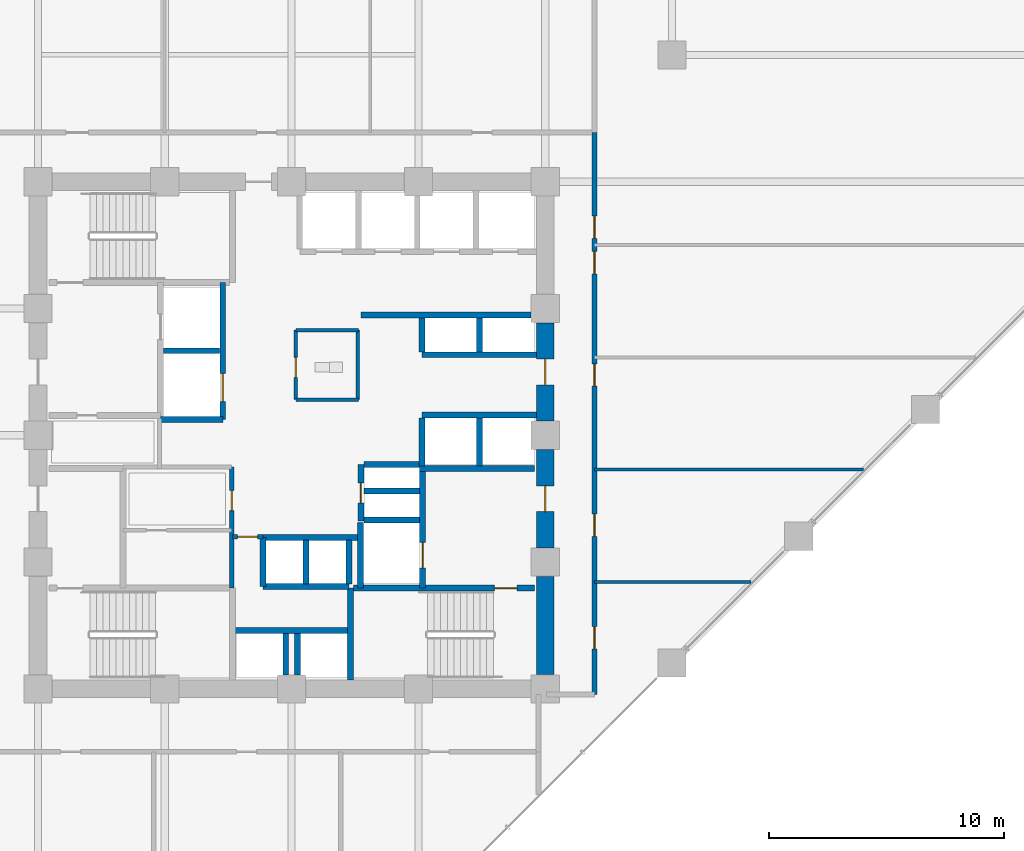
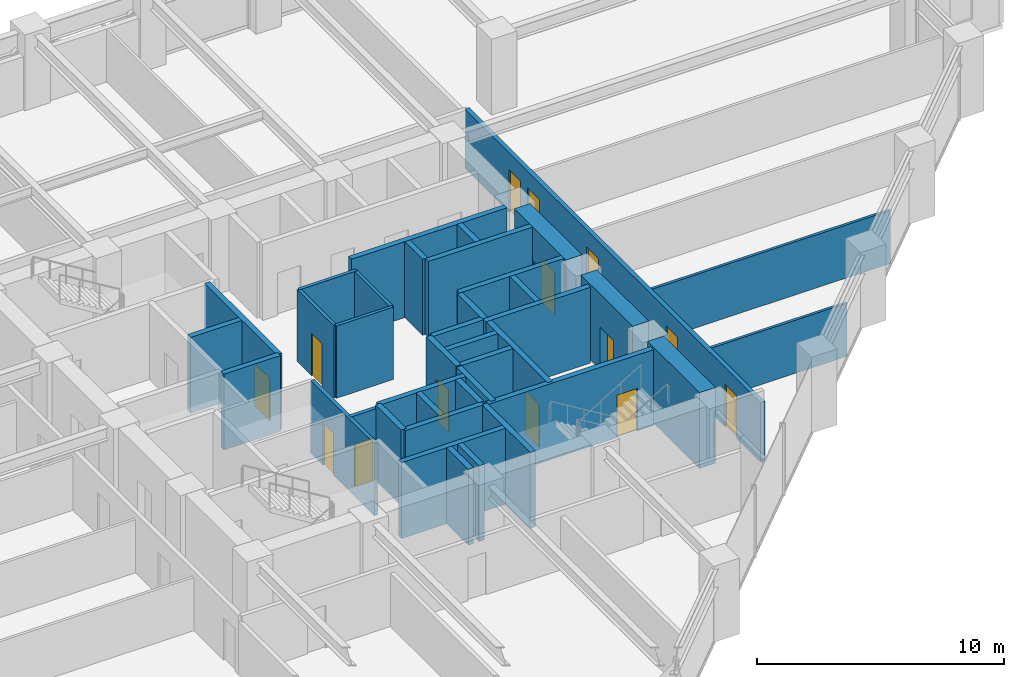
# One storey, part 22 of 28: 39 walls, 14 doors, 14 openings.
"""IFC4 building model written with IfcOpenShell, lengths in metres."""

import ifcopenshell
import ifcopenshell.guid

model = None  # the IFC model being written
_history = None  # IfcOwnerHistory: only IFC2X3 demands one
_inside = {}  # id of a spatial element -> (the spatial element, [elements in it])
_under = {}  # id of a project, library or spatial element -> (it, [spatial elements below it])
_declared = {}  # id of a project -> (the project, [libraries it declares])
_typed = {}  # id of a type object -> (the type object, [elements of that type])
_made_of = {}  # id of a material, layer set ... -> (it, [elements and type objects made of it])


def new_model(schema):
    """Start an empty IFC model of exactly this schema.

    Asked for "IFC4X3", IfcOpenShell would pick the latest addendum, in which some entities
    have other attributes; the version numbers below select the first issue.
    IFC2X3 requires an IfcOwnerHistory on every rooted entity: one is made here for all.
    """
    global model, _history
    if schema == "IFC4X3":
        model = ifcopenshell.file(schema_version=(4, 3, 0, 0))
    else:
        model = ifcopenshell.file(schema=schema)
    _inside.clear()
    _under.clear()
    _declared.clear()
    _typed.clear()
    _made_of.clear()
    _history = None
    if model.schema == "IFC2X3":
        org = make("IfcOrganization", Name="unknown")
        user = make(
            "IfcPersonAndOrganization",
            ThePerson=make("IfcPerson", FamilyName="unknown"),
            TheOrganization=org,
        )
        app = make(
            "IfcApplication",
            ApplicationDeveloper=org,
            Version="unknown",
            ApplicationFullName="unknown",
            ApplicationIdentifier="unknown",
        )
        _history = make(
            "IfcOwnerHistory",
            OwningUser=user,
            OwningApplication=app,
            ChangeAction="ADDED",
            CreationDate=0,
        )
    return model


def make(cls, **values):
    """One entity of the class cls with the attributes given. An attribute that is None is left unset."""
    return model.create_entity(
        cls, **{name: value for name, value in values.items() if value is not None}
    )


def rooted(cls, **values):
    """An entity with a GlobalId (a new one), such as an element, a storey or a relation."""
    return make(cls, GlobalId=ifcopenshell.guid.new(), OwnerHistory=_history, **values)


def si_unit(unit_type, name, prefix=None):
    """IfcSIUnit, for example si_unit("LENGTHUNIT", "METRE", prefix="MILLI")."""
    return make("IfcSIUnit", UnitType=unit_type, Prefix=prefix, Name=name)


def assignment(units):
    """IfcUnitAssignment: the units of a project."""
    return None if units is None else make("IfcUnitAssignment", Units=units)


def point(xyz):
    """IfcCartesianPoint."""
    return None if xyz is None else make("IfcCartesianPoint", Coordinates=xyz)


def direction(xyz):
    """IfcDirection."""
    return None if xyz is None else make("IfcDirection", DirectionRatios=xyz)


def frame(location, z_axis=None, x_axis=None):
    """IfcAxis2Placement3D, a coordinate frame: its origin and axes. An axis left out is left unset."""
    return make(
        "IfcAxis2Placement3D",
        Location=point(location),
        Axis=direction(z_axis),
        RefDirection=direction(x_axis),
    )


def frame_2d(location, x_axis=None):
    """IfcAxis2Placement2D, a coordinate frame in the plane: its origin and x axis."""
    return make(
        "IfcAxis2Placement2D", Location=point(location), RefDirection=direction(x_axis)
    )


def origin():
    """The frame at (0, 0, 0) with its axes left unset."""
    return frame((0.0, 0.0, 0.0))


def place(relative_to, where):
    """IfcLocalPlacement: puts the frame where relative to a parent placement (None: the world)."""
    return make(
        "IfcLocalPlacement", PlacementRelTo=relative_to, RelativePlacement=where
    )


def context(
    kind, dimensions, precision=None, world=None, true_north=None, identifier=None
):
    """IfcGeometricRepresentationContext, for example the 3D "Model" context."""
    return make(
        "IfcGeometricRepresentationContext",
        ContextIdentifier=identifier,
        ContextType=kind,
        CoordinateSpaceDimension=dimensions,
        Precision=precision,
        WorldCoordinateSystem=world,
        TrueNorth=true_north,
    )


def subcontext(parent, identifier, kind, view, scale=None):
    """IfcGeometricRepresentationSubContext, for example "Body" below "Model"."""
    return make(
        "IfcGeometricRepresentationSubContext",
        ContextIdentifier=identifier,
        ContextType=kind,
        ParentContext=parent,
        TargetScale=scale,
        TargetView=view,
    )


def project(units=None, contexts=None):
    """IfcProject with its units and contexts."""
    return rooted(
        "IfcProject",
        Name="project",
        RepresentationContexts=contexts,
        UnitsInContext=assignment(units),
    )


def spatial(cls, under=None, at=None, **own):
    """A site, building, storey or space (cls), placed at a placement, below another one or the project."""
    s = rooted(cls, ObjectPlacement=at, **own)
    if under is not None:
        _under.setdefault(under.id(), (under, []))[1].append(s)
    return s


def profile(cls, at=None, kind="AREA", **sizes):
    """A parametric profile (cls). Its sizes go by their IFC names, for example OverallWidth=200.0."""
    return make(cls, ProfileType=kind, Position=at, **sizes)


def rectangle(**sizes):
    """IfcRectangleProfileDef."""
    return profile("IfcRectangleProfileDef", **sizes)


def extrude(swept, where, along, depth):
    """IfcExtrudedAreaSolid: the profile swept, set in the frame where, extruded along a direction by depth."""
    return make(
        "IfcExtrudedAreaSolid",
        SweptArea=swept,
        Position=where,
        ExtrudedDirection=direction(along),
        Depth=depth,
    )


def shape(context_of_items, identifier, shape_type, items):
    """IfcShapeRepresentation: the items that make up one representation, for example the "Body"."""
    return make(
        "IfcShapeRepresentation",
        ContextOfItems=context_of_items,
        RepresentationIdentifier=identifier,
        RepresentationType=shape_type,
        Items=items,
    )


def material(Name=None, Category=None):
    """IfcMaterial."""
    return make("IfcMaterial", Name=Name, Category=Category)


def layer(
    of_material, thickness, ventilated=None, Name=None, Category=None, Priority=None
):
    """IfcMaterialLayer: one layer of a wall or slab, of a material (None: an air gap)."""
    return make(
        "IfcMaterialLayer",
        Material=of_material,
        LayerThickness=thickness,
        IsVentilated=ventilated,
        Name=Name,
        Category=Category,
        Priority=Priority,
    )


def layer_set(layers, Name=None):
    """IfcMaterialLayerSet."""
    return make("IfcMaterialLayerSet", MaterialLayers=layers, LayerSetName=Name)


def made_of(thing, what):
    """Note that an element or type object is made of a material, layer set ...; save() writes the relation."""
    if what is not None:
        _made_of.setdefault(what.id(), (what, []))[1].append(thing)
    return thing


def type_object(cls, material=None, **own):
    """A type object (cls), such as IfcWallType, which elements share."""
    return made_of(rooted(cls, **own), material)


def element(
    cls,
    number,
    at=None,
    inside=None,
    cuts=None,
    type_object=None,
    material=None,
    context=None,
    identifier="Body",
    shape_type=None,
    held_by="IfcProductDefinitionShape",
    body=None,
    shapes=None,
    **own,
):
    """One element of the class cls, such as IfcWall. Its Tag is "e" and its number.

    at: its placement. inside: the storey or other place that contains it. cuts: it is an
    opening in that element (IfcRelVoidsElement). A single representation is given by context,
    identifier, shape_type and body (its items); several are given by shapes. held_by: the class
    of the entity that holds the representations. save() writes the other relations.
    """
    e = rooted(cls, Tag="e%d" % number, ObjectPlacement=at, **own)
    if body is not None:
        shapes = [shape(context, identifier, shape_type, body)]
    if shapes is not None:
        e.Representation = make(held_by, Representations=shapes)
    if inside is not None:
        _inside.setdefault(inside.id(), (inside, []))[1].append(e)
    if cuts is not None:
        rooted(
            "IfcRelVoidsElement", RelatingBuildingElement=cuts, RelatedOpeningElement=e
        )
    if type_object is not None:
        _typed.setdefault(type_object.id(), (type_object, []))[1].append(e)
    return made_of(e, material)


def fill(opening, filler):
    """IfcRelFillsElement: the door or window that sits in an opening."""
    return rooted(
        "IfcRelFillsElement",
        RelatingOpeningElement=opening,
        RelatedBuildingElement=filler,
    )


def aggregate(whole, parts):
    """IfcRelAggregates: a whole, such as a stair, and the parts it consists of."""
    return rooted("IfcRelAggregates", RelatingObject=whole, RelatedObjects=parts)


def save(model, path):
    """Write the relations noted so far, then the file.

    IfcRelAggregates (storeys below a building ...), IfcRelContainedInSpatialStructure (elements
    in a storey), IfcRelDefinesByType, IfcRelAssociatesMaterial and IfcRelDeclares: one each for
    every whole, place, type object, material and project.
    """
    for whole, parts in _under.values():
        aggregate(whole, parts)
    for where, things in _inside.values():
        rooted(
            "IfcRelContainedInSpatialStructure",
            RelatedElements=things,
            RelatingStructure=where,
        )
    for kind, things in _typed.values():
        rooted("IfcRelDefinesByType", RelatedObjects=things, RelatingType=kind)
    for what, things in _made_of.values():
        rooted("IfcRelAssociatesMaterial", RelatedObjects=things, RelatingMaterial=what)
    for by, libraries in _declared.values():
        rooted("IfcRelDeclares", RelatingContext=by, RelatedDefinitions=libraries)
    model.write(path)


model = new_model("IFC4")

# Units and contexts
model_context = context("Model", 3, precision=1e-05, world=origin(), true_north=direction((0.0, 1.0)))
body_context = subcontext(model_context, "Body", "Model", "MODEL_VIEW")
ifc_project = project(units=[si_unit("LENGTHUNIT", "METRE"), si_unit("AREAUNIT", "SQUARE_METRE"), si_unit("VOLUMEUNIT", "CUBIC_METRE"), si_unit("PLANEANGLEUNIT", "RADIAN"), si_unit("MASSUNIT", "GRAM", prefix="KILO")], contexts=[model_context])

# Site, building, storey
site_placement = place(None, origin())
site = spatial("IfcSite", under=ifc_project, at=site_placement, CompositionType="ELEMENT")
building_placement = place(site_placement, origin())
building = spatial("IfcBuilding", under=site, at=building_placement, Name="Surkhivell Harbour Commons", CompositionType="ELEMENT")
storey_placement = place(building_placement, frame((0.0, 0.0, 67.5)))
storey = spatial("IfcBuildingStorey", under=building, at=storey_placement, Name="L17", CompositionType="ELEMENT", Elevation=67.5)

# Wall
ifc_material_1 = material(Name="Concrete C60/75", Category="concrete")
ifc_layer_1 = layer(ifc_material_1, 0.75)
ifc_layer_set_1 = layer_set([ifc_layer_1], Name="Concrete C60/75")
wall_type_1 = type_object("IfcWallType", Name="WAL-CORE-750", PredefinedType="SHEAR", material=ifc_layer_set_1)
wall_1_placement = place(storey_placement, frame((10.800048828125, -10.18994140625, 0.0), z_axis=(0.0, 0.0, 1.0), x_axis=(0.0, 1.0, 0.0)))
element("IfcWall", 1, at=wall_1_placement, inside=storey, type_object=wall_type_1, Name="L17 Core Shear Wall East 1", PredefinedType="SHEAR", context=body_context, shape_type="SweptSolid", body=[
    extrude(rectangle(XDim=4.179931640625, YDim=0.75, at=frame_2d((2.08984375, 0.0))), origin(), (0.0, 0.0, 1.0), 3.75),
])

# Wall, opening, door
wall_2_placement = place(storey_placement, frame((10.800048828125, -4.7900390625, 0.0), z_axis=(0.0, 0.0, 1.0), x_axis=(0.0, 1.0, 0.0)))
wall_2 = element("IfcWall", 2, at=wall_2_placement, inside=storey, type_object=wall_type_1, Name="L17 Core Shear Wall East 2", PredefinedType="SHEAR", context=body_context, shape_type="SweptSolid", body=[
    extrude(rectangle(XDim=4.179931640625, YDim=0.75, at=frame_2d((2.08984375, 0.0))), origin(), (0.0, 0.0, 1.0), 3.75),
])
opening_1_placement = place(wall_2_placement, frame((1.5400390625, 0.0, 0.0)))
opening_1 = element("IfcOpeningElement", 3, at=opening_1_placement, cuts=wall_2, Name="Opening ID-1", PredefinedType="OPENING", context=body_context, shape_type="SweptSolid", body=[
    extrude(rectangle(XDim=1.10009765625, YDim=2.10009765625, at=frame_2d((0.550048828125, 1.050048828125))), frame((0.0, 0.385009765625, 0.0), z_axis=(0.0, -1.0, 0.0), x_axis=(1.0, 0.0, 0.0)), (0.0, 0.0, 1.0), 0.77001953125),
])
ifc_material_2 = material(Name="Hardwood-veneered fire-rated door leaf", Category="wood")
door_type_1 = type_object("IfcDoorType", Name="DOR-FD120-1100", OperationType="NOTDEFINED", PredefinedType="DOOR", material=ifc_material_2)
door_1_placement = place(opening_1_placement, origin())
door_1 = element("IfcDoor", 4, at=door_1_placement, inside=storey, type_object=door_type_1, Name="L17 Firefighting Lobby 2 Corridor Door", OperationType="SINGLE_SWING_RIGHT", OverallHeight=2.10009765625, OverallWidth=1.10009765625, PredefinedType="DOOR", context=body_context, shape_type="SweptSolid", body=[
    extrude(rectangle(XDim=1.10009765625, YDim=2.10009765625, at=frame_2d((0.550048828125, 1.050048828125))), frame((0.0, 0.02490234375, 0.0), z_axis=(0.0, -1.0, 0.0), x_axis=(1.0, 0.0, 0.0)), (0.0, 0.0, 1.0), 0.050048828125),
])
fill(opening_1, door_1)

wall_3_placement = place(storey_placement, frame((10.800048828125, 0.610107421875, 0.0), z_axis=(0.0, 0.0, 1.0), x_axis=(0.0, 1.0, 0.0)))
wall_3 = element("IfcWall", 5, at=wall_3_placement, inside=storey, type_object=wall_type_1, Name="L17 Core Shear Wall East 3", PredefinedType="SHEAR", context=body_context, shape_type="SweptSolid", body=[
    extrude(rectangle(XDim=4.179931640625, YDim=0.75, at=frame_2d((2.08984375, 0.0))), origin(), (0.0, 0.0, 1.0), 3.75),
])
opening_2_placement = place(wall_3_placement, frame((1.5400390625, 0.0, 0.0)))
opening_2 = element("IfcOpeningElement", 6, at=opening_2_placement, cuts=wall_3, Name="Opening ID-2", PredefinedType="OPENING", context=body_context, shape_type="SweptSolid", body=[
    extrude(rectangle(XDim=1.10009765625, YDim=2.10009765625, at=frame_2d((0.550048828125, 1.050048828125))), frame((0.0, 0.385009765625, 0.0), z_axis=(0.0, -1.0, 0.0), x_axis=(1.0, 0.0, 0.0)), (0.0, 0.0, 1.0), 0.77001953125),
])
door_type_2 = type_object("IfcDoorType", Name="DOR-FD60-1100", OperationType="NOTDEFINED", PredefinedType="DOOR", material=ifc_material_2)
door_2_placement = place(opening_2_placement, origin())
door_2 = element("IfcDoor", 7, at=door_2_placement, inside=storey, type_object=door_type_2, Name="L17 Mid-Rise Lobby East Door", OperationType="SINGLE_SWING_LEFT", OverallHeight=2.10009765625, OverallWidth=1.10009765625, PredefinedType="DOOR", context=body_context, shape_type="SweptSolid", body=[
    extrude(rectangle(XDim=1.10009765625, YDim=2.10009765625, at=frame_2d((0.550048828125, 1.050048828125))), frame((0.0, 0.02490234375, 0.0), z_axis=(0.0, -1.0, 0.0), x_axis=(1.0, 0.0, 0.0)), (0.0, 0.0, 1.0), 0.050048828125),
])
fill(opening_2, door_2)

# Walls
ifc_material_3 = material(Name="Moisture-resistant acoustic stud partition", Category="other")
ifc_layer_2 = layer(ifc_material_3, 0.125)
ifc_layer_set_2 = layer_set([ifc_layer_2], Name="Moisture-resistant acoustic stud partition")
wall_type_2 = type_object("IfcWallType", Name="WAL-INT-125", PredefinedType="PARTITIONING", material=ifc_layer_set_2)
wall_4_placement = place(storey_placement, frame((12.89990234375, -6.25, 0.0), z_axis=(0.0, 0.0, 1.0), x_axis=(1.0, 0.0, 0.0)))
element("IfcWall", 8, at=wall_4_placement, inside=storey, type_object=wall_type_2, Name="L17 East Partition P1", PredefinedType="PARTITIONING", context=body_context, shape_type="SweptSolid", body=[
    extrude(rectangle(XDim=6.665283203125, YDim=0.125, at=frame_2d((3.33251953125, 0.0))), origin(), (0.0, 0.0, 1.0), 2.623046875),
])
wall_5_placement = place(storey_placement, frame((12.89990234375, -1.4599609375, 0.0), z_axis=(0.0, 0.0, 1.0), x_axis=(1.0, 0.0, 0.0)))
element("IfcWall", 9, at=wall_5_placement, inside=storey, type_object=wall_type_2, Name="L17 East Partition P2", PredefinedType="PARTITIONING", context=body_context, shape_type="SweptSolid", body=[
    extrude(rectangle(XDim=11.455322265625, YDim=0.125, at=frame_2d((5.7275390625, 0.0))), origin(), (0.0, 0.0, 1.0), 2.623046875),
])
ifc_material_4 = material(Name="Twin-stud acoustic fireboard partition", Category="other")
ifc_layer_3 = layer(ifc_material_4, 0.14990234375)
ifc_layer_set_3 = layer_set([ifc_layer_3], Name="Twin-stud acoustic fireboard partition")
wall_type_3 = type_object("IfcWallType", Name="WAL-INT-150", PredefinedType="PARTITIONING", material=ifc_layer_set_3)
wall_6_placement = place(storey_placement, frame((2.820068359375, 1.52001953125, 0.0), z_axis=(0.0, 0.0, 1.0), x_axis=(0.0, 1.0, 0.0)))
element("IfcWall", 10, at=wall_6_placement, inside=storey, type_object=wall_type_3, Name="L17 Core Accessible WC East Wall", PredefinedType="PARTITIONING", context=body_context, shape_type="SweptSolid", body=[
    extrude(rectangle(XDim=2.9599609375, YDim=0.14990234375, at=frame_2d((1.47998046875, 0.0))), origin(), (0.0, 0.0, 1.0), 3.570068359375),
])
for number, where, z_axis, x_axis, name in (
    (11, (0.179931640625, 4.47998046875, 0.0), (0.0, 0.0, 1.0), (1.0, 0.0, 0.0), "L17 Core Accessible WC North Wall"),
    (12, (0.179931640625, 1.52001953125, 0.0), (0.0, 0.0, 1.0), (1.0, 0.0, 0.0), "L17 Core Accessible WC South Wall"),
):
    element("IfcWall", number, at=place(storey_placement, frame(where, z_axis=z_axis, x_axis=x_axis)), inside=storey, type_object=wall_type_3, Name=name, PredefinedType="PARTITIONING", context=body_context, shape_type="SweptSolid", body=[
        extrude(rectangle(XDim=2.670166015625, YDim=0.14990234375, at=frame_2d((1.3349609375, 0.0))), origin(), (0.0, 0.0, 1.0), 3.570068359375),
    ])

# Wall, opening, door
wall_7_placement = place(storey_placement, frame((0.179931640625, 1.52001953125, 0.0), z_axis=(0.0, 0.0, 1.0), x_axis=(0.0, 1.0, 0.0)))
wall_7 = element("IfcWall", 13, at=wall_7_placement, inside=storey, type_object=wall_type_3, Name="L17 Core Accessible WC West Wall", PredefinedType="PARTITIONING", context=body_context, shape_type="SweptSolid", body=[
    extrude(rectangle(XDim=2.9599609375, YDim=0.14990234375, at=frame_2d((1.47998046875, 0.0))), origin(), (0.0, 0.0, 1.0), 3.570068359375),
])
opening_3_placement = place(wall_7_placement, frame((0.949951171875, 0.0, 0.0)))
opening_3 = element("IfcOpeningElement", 14, at=opening_3_placement, cuts=wall_7, Name="Opening ID-6", PredefinedType="OPENING", context=body_context, shape_type="SweptSolid", body=[
    extrude(rectangle(XDim=0.85009765625, YDim=2.10009765625, at=frame_2d((0.425048828125, 1.050048828125))), frame((0.0, 0.0849609375, 0.0), z_axis=(0.0, -1.0, 0.0), x_axis=(1.0, 0.0, 0.0)), (0.0, 0.0, 1.0), 0.169921875),
])
door_type_3 = type_object("IfcDoorType", Name="DOR-FD30-850", OperationType="NOTDEFINED", PredefinedType="DOOR", material=ifc_material_2)
door_3_placement = place(opening_3_placement, origin())
door_3 = element("IfcDoor", 15, at=door_3_placement, inside=storey, type_object=door_type_3, Name="L17 Floor Accessible WC Door", OperationType="SINGLE_SWING_RIGHT", OverallHeight=2.10009765625, OverallWidth=0.85009765625, PredefinedType="DOOR", context=body_context, shape_type="SweptSolid", body=[
    extrude(rectangle(XDim=0.85009765625, YDim=2.10009765625, at=frame_2d((0.425048828125, 1.050048828125))), frame((0.0, 0.02490234375, 0.0), z_axis=(0.0, -1.0, 0.0), x_axis=(1.0, 0.0, 0.0)), (0.0, 0.0, 1.0), 0.050048828125),
])
fill(opening_3, door_3)

ifc_material_5 = material(Name="High-density acoustic blockwork fire partition", Category="masonry")
ifc_layer_4 = layer(ifc_material_5, 0.175048828125)
ifc_layer_set_4 = layer_set([ifc_layer_4], Name="High-density acoustic blockwork fire partition")
wall_type_4 = type_object("IfcWallType", Name="WAL-INT-175", PredefinedType="PARTITIONING", material=ifc_layer_set_4)
wall_8_placement = place(storey_placement, frame((-2.550048828125, -6.510009765625, 0.0), z_axis=(0.0, 0.0, 1.0), x_axis=(0.0, 1.0, 0.0)))
wall_8 = element("IfcWall", 16, at=wall_8_placement, inside=storey, type_object=wall_type_4, Name="L17 Core Service Bay East Wall", PredefinedType="PARTITIONING", context=body_context, shape_type="SweptSolid", body=[
    extrude(rectangle(XDim=5.159912109375, YDim=0.175048828125, at=frame_2d((2.580078125, 0.0))), origin(), (0.0, 0.0, 1.0), 3.570068359375),
])
opening_4_placement = place(wall_8_placement, frame((3.300048828125, 0.0, 0.0)))
opening_4 = element("IfcOpeningElement", 17, at=opening_4_placement, cuts=wall_8, Name="Opening ID-6", PredefinedType="OPENING", context=body_context, shape_type="SweptSolid", body=[
    extrude(rectangle(XDim=0.85009765625, YDim=2.10009765625, at=frame_2d((0.425048828125, 1.050048828125))), frame((0.0, 0.097412109375, 0.0), z_axis=(0.0, -1.0, 0.0), x_axis=(1.0, 0.0, 0.0)), (0.0, 0.0, 1.0), 0.195068359375),
])
door_4_placement = place(opening_4_placement, origin())
door_4 = element("IfcDoor", 18, at=door_4_placement, inside=storey, type_object=door_type_3, Name="L17 Core Reading Alcove Door", OperationType="SINGLE_SWING_LEFT", OverallHeight=2.10009765625, OverallWidth=0.85009765625, PredefinedType="DOOR", context=body_context, shape_type="SweptSolid", body=[
    extrude(rectangle(XDim=0.85009765625, YDim=2.10009765625, at=frame_2d((0.425048828125, 1.050048828125))), frame((0.0, 0.02490234375, 0.0), z_axis=(0.0, -1.0, 0.0), x_axis=(1.0, 0.0, 0.0)), (0.0, 0.0, 1.0), 0.050048828125),
])
fill(opening_4, door_4)

wall_9_placement = place(storey_placement, frame((-2.52001953125, -4.320068359375, 0.0), z_axis=(0.0, 0.0, 1.0), x_axis=(1.0, 0.0, 0.0)))
wall_9 = element("IfcWall", 19, at=wall_9_placement, inside=storey, type_object=wall_type_4, Name="L17 High-Rise Lobby North Portal Wall", PredefinedType="PARTITIONING", context=body_context, shape_type="SweptSolid", body=[
    extrude(rectangle(XDim=1.300048828125, YDim=0.175048828125, at=frame_2d((0.64990234375, 0.0))), origin(), (0.0, 0.0, 1.0), 3.570068359375),
])
opening_5_placement = place(wall_9_placement, frame((0.219970703125, 0.0, 0.0)))
opening_5 = element("IfcOpeningElement", 20, at=opening_5_placement, cuts=wall_9, Name="Opening ID-6", PredefinedType="OPENING", context=body_context, shape_type="SweptSolid", body=[
    extrude(rectangle(XDim=0.85009765625, YDim=2.10009765625, at=frame_2d((0.425048828125, 1.050048828125))), frame((0.0, 0.097412109375, 0.0), z_axis=(0.0, -1.0, 0.0), x_axis=(1.0, 0.0, 0.0)), (0.0, 0.0, 1.0), 0.195068359375),
])
door_5_placement = place(opening_5_placement, origin())
door_5 = element("IfcDoor", 21, at=door_5_placement, inside=storey, type_object=door_type_3, Name="L17 High-Rise Lift Lobby North Door", OperationType="SINGLE_SWING_LEFT", OverallHeight=2.10009765625, OverallWidth=0.85009765625, PredefinedType="DOOR", context=body_context, shape_type="SweptSolid", body=[
    extrude(rectangle(XDim=0.85009765625, YDim=2.10009765625, at=frame_2d((0.425048828125, 1.050048828125))), frame((0.0, 0.02490234375, 0.0), z_axis=(0.0, -1.0, 0.0), x_axis=(1.0, 0.0, 0.0)), (0.0, 0.0, 1.0), 0.050048828125),
])
fill(opening_5, door_5)

# Wall, openings, doors
ifc_material_6 = material(Name="Autoclaved aerated concrete blockwork and fire plaster", Category="masonry")
ifc_layer_5 = layer(ifc_material_6, 0.199951171875)
ifc_layer_set_5 = layer_set([ifc_layer_5], Name="Autoclaved aerated concrete blockwork and fire plaster")
wall_type_5 = type_object("IfcWallType", Name="WAL-INT-200", PredefinedType="PARTITIONING", material=ifc_layer_set_5)
wall_10_placement = place(storey_placement, frame((12.89990234375, -11.0400390625, 0.0), z_axis=(0.0, 0.0, 1.0), x_axis=(0.0, 1.0, 0.0)))
wall_10 = element("IfcWall", 22, at=wall_10_placement, inside=storey, type_object=wall_type_5, Name="L17 Corridor East Wall", PredefinedType="PARTITIONING", context=body_context, shape_type="SweptSolid", body=[
    extrude(rectangle(XDim=23.93994140625, YDim=0.199951171875, at=frame_2d((11.969970703125, 0.0))), origin(), (0.0, 0.0, 1.0), 2.929931640625),
])
opening_6_placement = place(wall_10_placement, frame((1.945068359375, 0.0, 0.0)))
opening_6 = element("IfcOpeningElement", 23, at=opening_6_placement, cuts=wall_10, Name="Opening ID-4", PredefinedType="OPENING", context=body_context, shape_type="SweptSolid", body=[
    extrude(rectangle(XDim=0.949951171875, YDim=2.10009765625, at=frame_2d((0.47509765625, 1.050048828125))), frame((0.0, 0.10986328125, 0.0), z_axis=(0.0, -1.0, 0.0), x_axis=(1.0, 0.0, 0.0)), (0.0, 0.0, 1.0), 0.219970703125),
])
opening_7_placement = place(wall_10_placement, frame((6.735107421875, 0.0, 0.0)))
opening_7 = element("IfcOpeningElement", 24, at=opening_7_placement, cuts=wall_10, Name="Opening ID-4", PredefinedType="OPENING", context=body_context, shape_type="SweptSolid", body=[
    extrude(rectangle(XDim=0.949951171875, YDim=2.10009765625, at=frame_2d((0.47509765625, 1.050048828125))), frame((0.0, 0.10986328125, 0.0), z_axis=(0.0, -1.0, 0.0), x_axis=(1.0, 0.0, 0.0)), (0.0, 0.0, 1.0), 0.219970703125),
])
opening_8_placement = place(wall_10_placement, frame((13.1298828125, 0.0, 0.0)))
opening_8 = element("IfcOpeningElement", 25, at=opening_8_placement, cuts=wall_10, Name="Opening ID-4", PredefinedType="OPENING", context=body_context, shape_type="SweptSolid", body=[
    extrude(rectangle(XDim=0.949951171875, YDim=2.10009765625, at=frame_2d((0.47509765625, 1.050048828125))), frame((0.0, 0.10986328125, 0.0), z_axis=(0.0, -1.0, 0.0), x_axis=(1.0, 0.0, 0.0)), (0.0, 0.0, 1.0), 0.219970703125),
])
opening_9_placement = place(wall_10_placement, frame((17.919921875, 0.0, 0.0)))
opening_9 = element("IfcOpeningElement", 26, at=opening_9_placement, cuts=wall_10, Name="Opening ID-4", PredefinedType="OPENING", context=body_context, shape_type="SweptSolid", body=[
    extrude(rectangle(XDim=0.949951171875, YDim=2.10009765625, at=frame_2d((0.47509765625, 1.050048828125))), frame((0.0, 0.10986328125, 0.0), z_axis=(0.0, -1.0, 0.0), x_axis=(1.0, 0.0, 0.0)), (0.0, 0.0, 1.0), 0.219970703125),
])
opening_10_placement = place(wall_10_placement, frame((19.429931640625, 0.0, 0.0)))
opening_10 = element("IfcOpeningElement", 27, at=opening_10_placement, cuts=wall_10, Name="Opening ID-4", PredefinedType="OPENING", context=body_context, shape_type="SweptSolid", body=[
    extrude(rectangle(XDim=0.949951171875, YDim=2.10009765625, at=frame_2d((0.47509765625, 1.050048828125))), frame((0.0, 0.10986328125, 0.0), z_axis=(0.0, -1.0, 0.0), x_axis=(1.0, 0.0, 0.0)), (0.0, 0.0, 1.0), 0.219970703125),
])
door_type_4 = type_object("IfcDoorType", Name="DOR-FD60-950", OperationType="NOTDEFINED", PredefinedType="DOOR", material=ifc_material_2)
door_6_placement = place(opening_6_placement, origin())
door_6 = element("IfcDoor", 28, at=door_6_placement, inside=storey, type_object=door_type_4, Name="L17 Co-Working Study Office Pod 1 East Door", OperationType="SINGLE_SWING_RIGHT", OverallHeight=2.10009765625, OverallWidth=0.949951171875, PredefinedType="DOOR", context=body_context, shape_type="SweptSolid", body=[
    extrude(rectangle(XDim=0.949951171875, YDim=2.10009765625, at=frame_2d((0.47509765625, 1.050048828125))), frame((0.0, 0.02490234375, 0.0), z_axis=(0.0, -1.0, 0.0), x_axis=(1.0, 0.0, 0.0)), (0.0, 0.0, 1.0), 0.050048828125),
])
fill(opening_6, door_6)
door_7_placement = place(opening_7_placement, origin())
door_7 = element("IfcDoor", 29, at=door_7_placement, inside=storey, type_object=door_type_4, Name="L17 Academic Seminar Pod 2 East Door", OperationType="SINGLE_SWING_LEFT", OverallHeight=2.10009765625, OverallWidth=0.949951171875, PredefinedType="DOOR", context=body_context, shape_type="SweptSolid", body=[
    extrude(rectangle(XDim=0.949951171875, YDim=2.10009765625, at=frame_2d((0.47509765625, 1.050048828125))), frame((0.0, 0.02490234375, 0.0), z_axis=(0.0, -1.0, 0.0), x_axis=(1.0, 0.0, 0.0)), (0.0, 0.0, 1.0), 0.050048828125),
])
fill(opening_7, door_7)
door_8_placement = place(opening_8_placement, origin())
door_8 = element("IfcDoor", 30, at=door_8_placement, inside=storey, type_object=door_type_4, Name="L17 Harbour Espresso Cafe Shop 3 East Door", OperationType="SINGLE_SWING_RIGHT", OverallHeight=2.10009765625, OverallWidth=0.949951171875, PredefinedType="DOOR", context=body_context, shape_type="SweptSolid", body=[
    extrude(rectangle(XDim=0.949951171875, YDim=2.10009765625, at=frame_2d((0.47509765625, 1.050048828125))), frame((0.0, 0.02490234375, 0.0), z_axis=(0.0, -1.0, 0.0), x_axis=(1.0, 0.0, 0.0)), (0.0, 0.0, 1.0), 0.050048828125),
])
fill(opening_8, door_8)
door_9_placement = place(opening_9_placement, origin())
door_9 = element("IfcDoor", 31, at=door_9_placement, inside=storey, type_object=door_type_4, Name="L17 Zone Concierge Reception Foyer 4 East Door", OperationType="SINGLE_SWING_LEFT", OverallHeight=2.10009765625, OverallWidth=0.949951171875, PredefinedType="DOOR", context=body_context, shape_type="SweptSolid", body=[
    extrude(rectangle(XDim=0.949951171875, YDim=2.10009765625, at=frame_2d((0.47509765625, 1.050048828125))), frame((0.0, 0.02490234375, 0.0), z_axis=(0.0, -1.0, 0.0), x_axis=(1.0, 0.0, 0.0)), (0.0, 0.0, 1.0), 0.050048828125),
])
fill(opening_9, door_9)
door_10_placement = place(opening_10_placement, origin())
door_10 = element("IfcDoor", 32, at=door_10_placement, inside=storey, type_object=door_type_4, Name="L17 Shared Communal Kitchen 5 East Door", OperationType="SINGLE_SWING_RIGHT", OverallHeight=2.10009765625, OverallWidth=0.949951171875, PredefinedType="DOOR", context=body_context, shape_type="SweptSolid", body=[
    extrude(rectangle(XDim=0.949951171875, YDim=2.10009765625, at=frame_2d((0.47509765625, 1.050048828125))), frame((0.0, 0.02490234375, 0.0), z_axis=(0.0, -1.0, 0.0), x_axis=(1.0, 0.0, 0.0)), (0.0, 0.0, 1.0), 0.050048828125),
])
fill(opening_10, door_10)

# Walls
ifc_material_7 = material(Name="Concrete C50/60", Category="concrete")
ifc_layer_6 = layer(ifc_material_7, 0.25)
ifc_layer_set_6 = layer_set([ifc_layer_6], Name="Concrete C50/60")
wall_type_6 = type_object("IfcWallType", Name="WAL-SHAFT-250", PredefinedType="SHEAR", material=ifc_layer_set_6)
wall_11_placement = place(storey_placement, frame((2.929931640625, -6.510009765625, 0.0), z_axis=(0.0, 0.0, 1.0), x_axis=(0.0, 1.0, 0.0)))
element("IfcWall", 33, at=wall_11_placement, inside=storey, type_object=wall_type_6, Name="L17 FFL2 West Shaft Wall", PredefinedType="SHEAR", context=body_context, shape_type="SweptSolid", body=[
    extrude(rectangle(XDim=2.7900390625, YDim=0.25, at=frame_2d((1.39501953125, 0.0))), origin(), (0.0, 0.0, 1.0), 3.75),
])
wall_12_placement = place(storey_placement, frame((5.43994140625, -1.419921875, 0.0), z_axis=(0.0, 0.0, 1.0), x_axis=(1.0, 0.0, 0.0)))
element("IfcWall", 34, at=wall_12_placement, inside=storey, type_object=wall_type_6, Name="L17 Firefighting Lobby 2 North Wall", PredefinedType="SHEAR", context=body_context, shape_type="SweptSolid", body=[
    extrude(rectangle(XDim=4.900146484375, YDim=0.25, at=frame_2d((2.4501953125, 0.0))), origin(), (0.0, 0.0, 1.0), 3.75),
])
wall_13_placement = place(storey_placement, frame((3.080078125, -3.60009765625, 0.0), z_axis=(0.0, 0.0, 1.0), x_axis=(1.0, 0.0, 0.0)))
element("IfcWall", 35, at=wall_13_placement, inside=storey, type_object=wall_type_6, Name="L17 FFL2 North Shaft Wall", PredefinedType="SHEAR", context=body_context, shape_type="SweptSolid", body=[
    extrude(rectangle(XDim=2.369873046875, YDim=0.25, at=frame_2d((1.18505859375, 0.0))), origin(), (0.0, 0.0, 1.0), 3.75),
])

# Wall, opening, door
wall_14_placement = place(storey_placement, frame((5.580078125, -6.510009765625, 0.0), z_axis=(0.0, 0.0, 1.0), x_axis=(0.0, 1.0, 0.0)))
wall_14 = element("IfcWall", 36, at=wall_14_placement, inside=storey, type_object=wall_type_6, Name="L17 Firefighting Lobby 2 West Shaft Wall", PredefinedType="SHEAR", context=body_context, shape_type="SweptSolid", body=[
    extrude(rectangle(XDim=5.090087890625, YDim=0.25, at=frame_2d((2.544921875, 0.0))), origin(), (0.0, 0.0, 1.0), 3.75),
])
opening_11_placement = place(wall_14_placement, frame((0.85009765625, 0.0, 0.0)))
opening_11 = element("IfcOpeningElement", 37, at=opening_11_placement, cuts=wall_14, Name="Opening LD-1", PredefinedType="OPENING", context=body_context, shape_type="SweptSolid", body=[
    extrude(rectangle(XDim=1.10009765625, YDim=2.10009765625, at=frame_2d((0.550048828125, 1.050048828125))), frame((0.0, 0.135009765625, 0.0), z_axis=(0.0, -1.0, 0.0), x_axis=(1.0, 0.0, 0.0)), (0.0, 0.0, 1.0), 0.27001953125),
])
ifc_material_8 = material(Name="Brushed stainless steel S355", Category="steel")
door_type_5 = type_object("IfcDoorType", Name="DOR-LD-1100", OperationType="SLIDING_TO_LEFT", PredefinedType="DOOR", material=ifc_material_8)
door_11_placement = place(opening_11_placement, origin())
door_11 = element("IfcDoor", 38, at=door_11_placement, inside=storey, type_object=door_type_5, Name="L17 Lift Landing Door LD-FFL2", OperationType="SLIDING_TO_RIGHT", OverallHeight=2.10009765625, OverallWidth=1.10009765625, PredefinedType="DOOR", context=body_context, shape_type="SweptSolid", body=[
    extrude(rectangle(XDim=1.10009765625, YDim=2.10009765625, at=frame_2d((0.550048828125, 1.050048828125))), frame((0.0, 0.02490234375, 0.0), z_axis=(0.0, -1.0, 0.0), x_axis=(1.0, 0.0, 0.0)), (0.0, 0.0, 1.0), 0.050048828125),
])
fill(opening_11, door_11)

# Walls
for number, where, z_axis, x_axis, name in (
    (39, (0.6201171875, -6.340087890625, 0.0), (0.0, 0.0, 1.0), (0.0, 1.0, 0.0), "L17 High-Rise Side Wall N"),
    (40, (2.449951171875, -6.340087890625, 0.0), (0.0, 0.0, 1.0), (0.0, 1.0, 0.0), "L17 High-Rise Side Wall N"),
):
    element("IfcWall", number, at=place(storey_placement, frame(where, z_axis=z_axis, x_axis=x_axis)), inside=storey, type_object=wall_type_6, Name=name, PredefinedType="SHEAR", context=body_context, shape_type="SweptSolid", body=[
        extrude(rectangle(XDim=1.880126953125, YDim=0.25, at=frame_2d((0.93994140625, 0.0))), origin(), (0.0, 0.0, 1.0), 3.75),
    ])
for number, where, z_axis, x_axis, name in (
    (41, (-0.25, -10.199951171875, 0.0), (0.0, 0.0, 1.0), (0.0, 1.0, 0.0), "L17 High-Rise Side Wall S"),
    (42, (0.25, -10.199951171875, 0.0), (0.0, 0.0, 1.0), (0.0, 1.0, 0.0), "L17 High-Rise Side Wall S"),
):
    element("IfcWall", number, at=place(storey_placement, frame(where, z_axis=z_axis, x_axis=x_axis)), inside=storey, type_object=wall_type_6, Name=name, PredefinedType="SHEAR", context=body_context, shape_type="SweptSolid", body=[
        extrude(rectangle(XDim=1.760009765625, YDim=0.25, at=frame_2d((0.8798828125, 0.0))), origin(), (0.0, 0.0, 1.0), 3.75),
    ])
wall_15_placement = place(storey_placement, frame((-1.219970703125, -6.43994140625, 0.0), z_axis=(0.0, 0.0, 1.0), x_axis=(0.0, 1.0, 0.0)))
element("IfcWall", 43, at=wall_15_placement, inside=storey, type_object=wall_type_6, Name="L17 High-Rise Passage East Shaft Wall", PredefinedType="SHEAR", context=body_context, shape_type="SweptSolid", body=[
    extrude(rectangle(XDim=2.079833984375, YDim=0.25, at=frame_2d((1.0400390625, 0.0))), origin(), (0.0, 0.0, 1.0), 3.75),
])
wall_16_placement = place(storey_placement, frame((-1.219970703125, -6.43994140625, 0.0), z_axis=(0.0, 0.0, 1.0), x_axis=(1.0, 0.0, 0.0)))
element("IfcWall", 44, at=wall_16_placement, inside=storey, type_object=wall_type_6, Name="L17 High-Rise North Front Shaft Wall", PredefinedType="SHEAR", context=body_context, shape_type="SweptSolid", body=[
    extrude(rectangle(XDim=3.669921875, YDim=0.25, at=frame_2d((1.8349609375, 0.0))), origin(), (0.0, 0.0, 1.0), 3.75),
])
wall_17_placement = place(storey_placement, frame((-2.47998046875, -8.320068359375, 0.0), z_axis=(0.0, 0.0, 1.0), x_axis=(1.0, 0.0, 0.0)))
element("IfcWall", 45, at=wall_17_placement, inside=storey, type_object=wall_type_6, Name="L17 High-Rise South Front Shaft Wall", PredefinedType="SHEAR", context=body_context, shape_type="SweptSolid", body=[
    extrude(rectangle(XDim=4.929931640625, YDim=0.25, at=frame_2d((2.46484375, 0.0))), origin(), (0.0, 0.0, 1.0), 3.75),
])
wall_18_placement = place(storey_placement, frame((-1.219970703125, -4.360107421875, 0.0), z_axis=(0.0, 0.0, 1.0), x_axis=(1.0, 0.0, 0.0)))
element("IfcWall", 46, at=wall_18_placement, inside=storey, type_object=wall_type_6, Name="L17 High-Rise North Back Shaft Wall", PredefinedType="SHEAR", context=body_context, shape_type="SweptSolid", body=[
    extrude(rectangle(XDim=4.030029296875, YDim=0.25, at=frame_2d((2.01513671875, 0.0))), origin(), (0.0, 0.0, 1.0), 3.75),
])
wall_19_placement = place(storey_placement, frame((2.949951171875, 5.1201171875, 0.0), z_axis=(0.0, 0.0, 1.0), x_axis=(1.0, 0.0, 0.0)))
element("IfcWall", 47, at=wall_19_placement, inside=storey, type_object=wall_type_6, Name="L17 Low-Rise Lobby South Wall", PredefinedType="SHEAR", context=body_context, shape_type="SweptSolid", body=[
    extrude(rectangle(XDim=7.25, YDim=0.25, at=frame_2d((3.625, 0.0))), origin(), (0.0, 0.0, 1.0), 3.75),
])
for number, where, z_axis, x_axis, name in (
    (48, (5.550048828125, 3.550048828125, 0.0), (0.0, 0.0, 1.0), (0.0, 1.0, 0.0), "L17 Mid-Rise Shaft Side Wall N"),
    (49, (8.0, 3.550048828125, 0.0), (0.0, 0.0, 1.0), (0.0, 1.0, 0.0), "L17 Mid-Rise Shaft Side Wall N"),
):
    element("IfcWall", number, at=place(storey_placement, frame(where, z_axis=z_axis, x_axis=x_axis)), inside=storey, type_object=wall_type_6, Name=name, PredefinedType="SHEAR", context=body_context, shape_type="SweptSolid", body=[
        extrude(rectangle(XDim=1.449951171875, YDim=0.25, at=frame_2d((0.72509765625, 0.0))), origin(), (0.0, 0.0, 1.0), 3.75),
    ])
for number, where, z_axis, x_axis, name in (
    (50, (5.550048828125, -1.300048828125, 0.0), (0.0, 0.0, 1.0), (0.0, 1.0, 0.0), "L17 Mid-Rise Shaft Side Wall S"),
    (51, (8.0, -1.300048828125, 0.0), (0.0, 0.0, 1.0), (0.0, 1.0, 0.0), "L17 Mid-Rise Shaft Side Wall S"),
):
    element("IfcWall", number, at=place(storey_placement, frame(where, z_axis=z_axis, x_axis=x_axis)), inside=storey, type_object=wall_type_6, Name=name, PredefinedType="SHEAR", context=body_context, shape_type="SweptSolid", body=[
        extrude(rectangle(XDim=2.0400390625, YDim=0.25, at=frame_2d((1.02001953125, 0.0))), origin(), (0.0, 0.0, 1.0), 3.75),
    ])
for number, where, z_axis, x_axis, name in (
    (52, (5.550048828125, 3.429931640625, 0.0), (0.0, 0.0, 1.0), (1.0, 0.0, 0.0), "L17 Mid-Rise North Front Shaft Wall"),
    (53, (5.550048828125, 0.8701171875, 0.0), (0.0, 0.0, 1.0), (1.0, 0.0, 0.0), "L17 Mid-Rise South Front Shaft Wall"),
):
    element("IfcWall", number, at=place(storey_placement, frame(where, z_axis=z_axis, x_axis=x_axis)), inside=storey, type_object=wall_type_6, Name=name, PredefinedType="SHEAR", context=body_context, shape_type="SweptSolid", body=[
        extrude(rectangle(XDim=4.875, YDim=0.25, at=frame_2d((2.4375, 0.0))), origin(), (0.0, 0.0, 1.0), 3.75),
    ])
for number, where, z_axis, x_axis, name in (
    (54, (3.080078125, -2.3798828125, 0.0), (0.0, 0.0, 1.0), (1.0, 0.0, 0.0), "L17 Riser Divider Wall"),
    (55, (3.080078125, -1.25, 0.0), (0.0, 0.0, 1.0), (1.0, 0.0, 0.0), "L17 Riser North Wall"),
):
    element("IfcWall", number, at=place(storey_placement, frame(where, z_axis=z_axis, x_axis=x_axis)), inside=storey, type_object=wall_type_6, Name=name, PredefinedType="SHEAR", context=body_context, shape_type="SweptSolid", body=[
        extrude(rectangle(XDim=2.369873046875, YDim=0.25, at=frame_2d((1.18505859375, 0.0))), origin(), (0.0, 0.0, 1.0), 3.75),
    ])

# Wall, opening, door
wall_20_placement = place(storey_placement, frame((2.949951171875, -3.64990234375, 0.0), z_axis=(0.0, 0.0, 1.0), x_axis=(0.0, 1.0, 0.0)))
wall_20 = element("IfcWall", 56, at=wall_20_placement, inside=storey, type_object=wall_type_6, Name="L17 Riser Shaft West Wall", PredefinedType="SHEAR", context=body_context, shape_type="SweptSolid", body=[
    extrude(rectangle(XDim=2.39990234375, YDim=0.25, at=frame_2d((1.199951171875, 0.0))), origin(), (0.0, 0.0, 1.0), 3.75),
])
opening_12_placement = place(wall_20_placement, frame((0.77490234375, 0.0, 0.0)))
opening_12 = element("IfcOpeningElement", 57, at=opening_12_placement, cuts=wall_20, Name="Opening ID-6", PredefinedType="OPENING", context=body_context, shape_type="SweptSolid", body=[
    extrude(rectangle(XDim=0.85009765625, YDim=2.10009765625, at=frame_2d((0.425048828125, 1.050048828125))), frame((0.0, 0.135009765625, 0.0), z_axis=(0.0, -1.0, 0.0), x_axis=(1.0, 0.0, 0.0)), (0.0, 0.0, 1.0), 0.27001953125),
])
door_12_placement = place(opening_12_placement, origin())
door_12 = element("IfcDoor", 58, at=door_12_placement, inside=storey, type_object=door_type_3, Name="L17 Electrical Riser Access Door", OperationType="SINGLE_SWING_LEFT", OverallHeight=2.10009765625, OverallWidth=0.85009765625, PredefinedType="DOOR", context=body_context, shape_type="SweptSolid", body=[
    extrude(rectangle(XDim=0.85009765625, YDim=2.10009765625, at=frame_2d((0.425048828125, 1.050048828125))), frame((0.0, 0.02490234375, 0.0), z_axis=(0.0, -1.0, 0.0), x_axis=(1.0, 0.0, 0.0)), (0.0, 0.0, 1.0), 0.050048828125),
])
fill(opening_12, door_12)

wall_21_placement = place(storey_placement, frame((2.639892578125, -6.510009765625, 0.0), z_axis=(0.0, 0.0, 1.0), x_axis=(1.0, 0.0, 0.0)))
wall_21 = element("IfcWall", 59, at=wall_21_placement, inside=storey, type_object=wall_type_6, Name="L17 Stair ST2 North Shear Wall", PredefinedType="SHEAR", context=body_context, shape_type="SweptSolid", body=[
    extrude(rectangle(XDim=7.7001953125, YDim=0.25, at=frame_2d((3.85009765625, 0.0))), origin(), (0.0, 0.0, 1.0), 3.75),
])
opening_13_placement = place(wall_21_placement, frame((6.0, 0.0, 0.0)))
opening_13 = element("IfcOpeningElement", 60, at=opening_13_placement, cuts=wall_21, Name="Opening ID-4", PredefinedType="OPENING", context=body_context, shape_type="SweptSolid", body=[
    extrude(rectangle(XDim=0.949951171875, YDim=2.10009765625, at=frame_2d((0.47509765625, 1.050048828125))), frame((0.0, 0.135009765625, 0.0), z_axis=(0.0, -1.0, 0.0), x_axis=(1.0, 0.0, 0.0)), (0.0, 0.0, 1.0), 0.27001953125),
])
door_13_placement = place(opening_13_placement, origin())
door_13 = element("IfcDoor", 61, at=door_13_placement, inside=storey, type_object=door_type_4, Name="L17 Stair ST2 Exit Door", OperationType="SINGLE_SWING_RIGHT", OverallHeight=2.10009765625, OverallWidth=0.949951171875, PredefinedType="DOOR", context=body_context, shape_type="SweptSolid", body=[
    extrude(rectangle(XDim=0.949951171875, YDim=2.10009765625, at=frame_2d((0.47509765625, 1.050048828125))), frame((0.0, 0.02490234375, 0.0), z_axis=(0.0, -1.0, 0.0), x_axis=(1.0, 0.0, 0.0)), (0.0, 0.0, 1.0), 0.050048828125),
])
fill(opening_13, door_13)

# Wall
wall_22_placement = place(storey_placement, frame((2.510009765625, -10.425048828125, 0.0), z_axis=(0.0, 0.0, 1.0), x_axis=(0.0, 1.0, 0.0)))
element("IfcWall", 62, at=wall_22_placement, inside=storey, type_object=wall_type_6, Name="L17 Stair ST2 West Shear Wall", PredefinedType="SHEAR", context=body_context, shape_type="SweptSolid", body=[
    extrude(rectangle(XDim=3.9150390625, YDim=0.25, at=frame_2d((1.95751953125, 0.0))), origin(), (0.0, 0.0, 1.0), 3.75),
])

# Wall, opening, door
wall_23_placement = place(storey_placement, frame((-2.929931640625, 0.679931640625, 0.0), z_axis=(0.0, 0.0, 1.0), x_axis=(0.0, 1.0, 0.0)))
wall_23 = element("IfcWall", 63, at=wall_23_placement, inside=storey, type_object=wall_type_6, Name="L17 Service and Fire Lift East Shaft Wall", PredefinedType="SHEAR", context=body_context, shape_type="SweptSolid", body=[
    extrude(rectangle(XDim=5.830078125, YDim=0.25, at=frame_2d((2.9150390625, 0.0))), origin(), (0.0, 0.0, 1.0), 3.75),
])
opening_14_placement = place(wall_23_placement, frame((0.75, 0.0, 0.0)))
opening_14 = element("IfcOpeningElement", 64, at=opening_14_placement, cuts=wall_23, Name="Opening LD-2", PredefinedType="OPENING", context=body_context, shape_type="SweptSolid", body=[
    extrude(rectangle(XDim=1.199951171875, YDim=2.10009765625, at=frame_2d((0.60009765625, 1.050048828125))), frame((0.0, 0.135009765625, 0.0), z_axis=(0.0, -1.0, 0.0), x_axis=(1.0, 0.0, 0.0)), (0.0, 0.0, 1.0), 0.27001953125),
])
door_type_6 = type_object("IfcDoorType", Name="DOR-LD-1200", OperationType="SLIDING_TO_LEFT", PredefinedType="DOOR", material=ifc_material_8)
door_14_placement = place(opening_14_placement, origin())
door_14 = element("IfcDoor", 65, at=door_14_placement, inside=storey, type_object=door_type_6, Name="L17 Lift Landing Door LD-SVL1", OperationType="SLIDING_TO_LEFT", OverallHeight=2.10009765625, OverallWidth=1.199951171875, PredefinedType="DOOR", context=body_context, shape_type="SweptSolid", body=[
    extrude(rectangle(XDim=1.199951171875, YDim=2.10009765625, at=frame_2d((0.60009765625, 1.050048828125))), frame((0.0, 0.02490234375, 0.0), z_axis=(0.0, -1.0, 0.0), x_axis=(1.0, 0.0, 0.0)), (0.0, 0.0, 1.0), 0.050048828125),
])
fill(opening_14, door_14)

# Walls
wall_24_placement = place(storey_placement, frame((-5.449951171875, 3.60009765625, 0.0), z_axis=(0.0, 0.0, 1.0), x_axis=(1.0, 0.0, 0.0)))
element("IfcWall", 66, at=wall_24_placement, inside=storey, type_object=wall_type_6, Name="L17 FFL1/SVL1 Shaft Divider", PredefinedType="SHEAR", context=body_context, shape_type="SweptSolid", body=[
    extrude(rectangle(XDim=2.389892578125, YDim=0.25, at=frame_2d((1.19482421875, 0.0))), origin(), (0.0, 0.0, 1.0), 3.75),
])
wall_25_placement = place(storey_placement, frame((-5.580078125, 0.679931640625, 0.0), z_axis=(0.0, 0.0, 1.0), x_axis=(1.0, 0.0, 0.0)))
element("IfcWall", 67, at=wall_25_placement, inside=storey, type_object=wall_type_6, Name="L17 SVL1 South Shaft Wall", PredefinedType="SHEAR", context=body_context, shape_type="SweptSolid", body=[
    extrude(rectangle(XDim=2.650146484375, YDim=0.25, at=frame_2d((1.3251953125, 0.0))), origin(), (0.0, 0.0, 1.0), 3.75),
])

save(model, "model.ifc")
